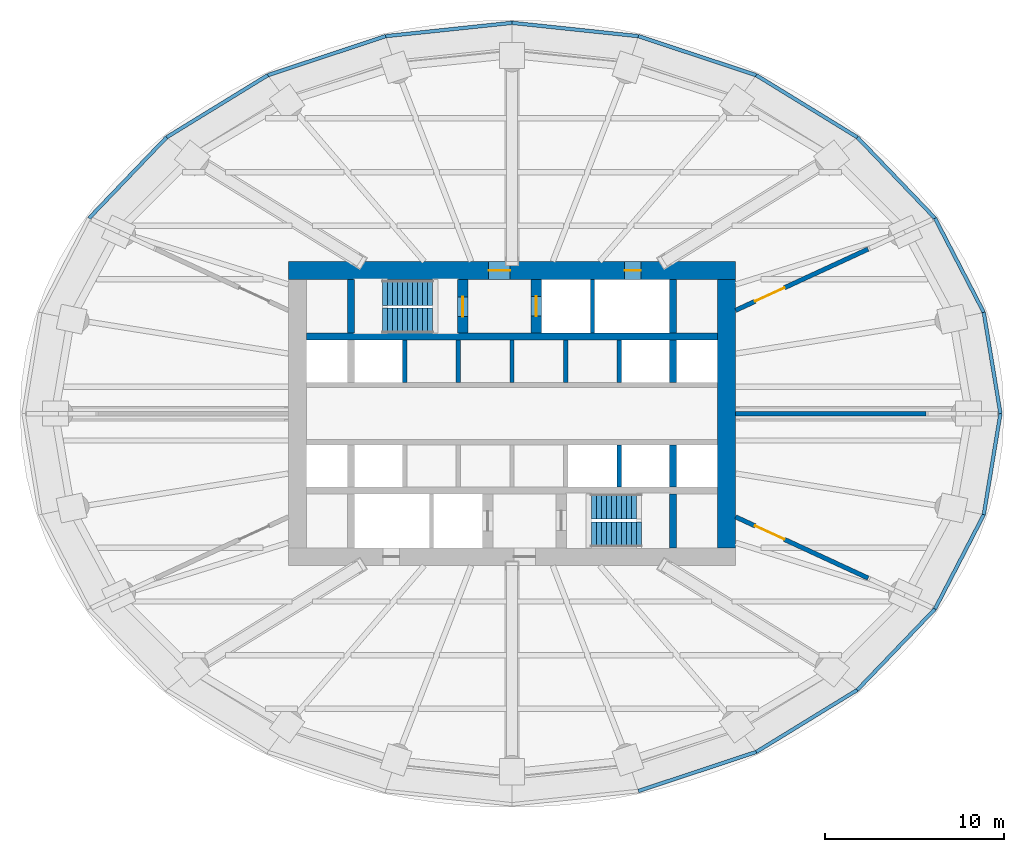
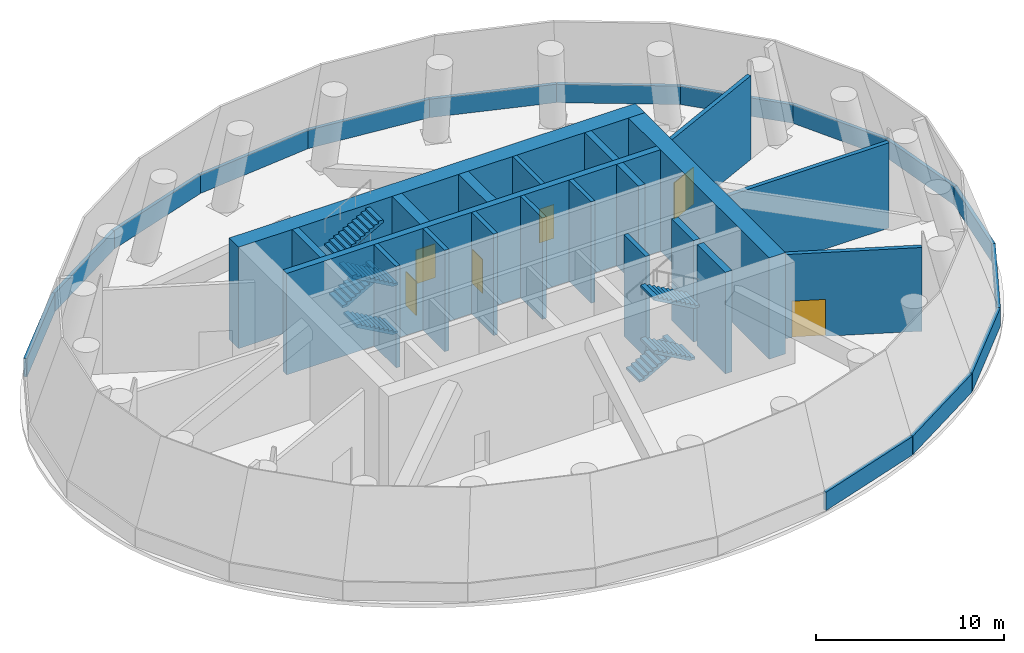
# One storey, part 5 of 7: 35 walls, 7 stair flights, 6 doors, 6 openings, 2 elements without a shape of their own.
"""IFC4 building model written with IfcOpenShell, lengths in metres."""

from ifc_helpers import new_model, si_unit, direction, frame, frame_2d, origin, place, context, subcontext, project, spatial, polyline, rectangle, outline, extrude, material, layer, layer_set, type_object, element, fill, aggregate, save


model = new_model("IFC4")

# Units and contexts
model_context = context("Model", 3, precision=1e-05, world=origin(), true_north=direction((0.0, 1.0)))
body_context = subcontext(model_context, "Body", "Model", "MODEL_VIEW")
ifc_project = project(units=[si_unit("LENGTHUNIT", "METRE"), si_unit("AREAUNIT", "SQUARE_METRE"), si_unit("VOLUMEUNIT", "CUBIC_METRE"), si_unit("PLANEANGLEUNIT", "RADIAN"), si_unit("MASSUNIT", "GRAM", prefix="KILO")], contexts=[model_context])

# Site, building, storey
site_placement = place(None, origin())
site = spatial("IfcSite", under=ifc_project, at=site_placement, CompositionType="ELEMENT")
building_placement = place(site_placement, origin())
building = spatial("IfcBuilding", under=site, at=building_placement, Name="Hankou Lantern Tower", CompositionType="ELEMENT")
storey_placement = place(building_placement, frame((0.0, 0.0, 93.60009765625)))
storey = spatial("IfcBuildingStorey", under=building, at=storey_placement, Name="L24", CompositionType="ELEMENT", Elevation=93.60009765625)

# Wall, openings, doors
ifc_material_1 = material(Name="Concrete C60", Category="concrete")
ifc_layer_1 = layer(ifc_material_1, 1.0)
ifc_layer_set_1 = layer_set([ifc_layer_1], Name="Concrete C60")
wall_type_1 = type_object("IfcWallType", Name="CW1 CORE WALL 1000", PredefinedType="SHEAR", material=ifc_layer_set_1)
wall_1_placement = place(storey_placement, frame((-12.5, 8.0, 0.0), z_axis=(0.0, 0.0, 1.0), x_axis=(1.0, 0.0, 0.0)))
wall_1 = element("IfcWall", 1, at=wall_1_placement, inside=storey, type_object=wall_type_1, Name="Core wall north L24", PredefinedType="SHEAR", context=body_context, shape_type="SweptSolid", body=[
    extrude(rectangle(XDim=25.0, YDim=1.0, at=frame_2d((12.5, 0.0))), origin(), (0.0, 0.0, 1.0), 6.599853515625),
])
opening_1_placement = place(wall_1_placement, frame((11.199951171875, 0.0, 0.0)))
opening_1 = element("IfcOpeningElement", 2, at=opening_1_placement, cuts=wall_1, Name="Opening D5", PredefinedType="OPENING", context=body_context, shape_type="SweptSolid", body=[
    extrude(rectangle(XDim=1.199951171875, YDim=2.199951171875, at=frame_2d((0.60009765625, 1.10009765625))), frame((0.0, 0.510009765625, 0.0), z_axis=(0.0, -1.0, 0.0), x_axis=(1.0, 0.0, 0.0)), (0.0, 0.0, 1.0), 1.02001953125),
])
opening_2_placement = place(wall_1_placement, frame((18.800048828125, 0.0, 0.0)))
opening_2 = element("IfcOpeningElement", 3, at=opening_2_placement, cuts=wall_1, Name="Opening D7", PredefinedType="OPENING", context=body_context, shape_type="SweptSolid", body=[
    extrude(rectangle(XDim=0.89990234375, YDim=2.199951171875, at=frame_2d((0.449951171875, 1.10009765625))), frame((0.0, 0.510009765625, 0.0), z_axis=(0.0, -1.0, 0.0), x_axis=(1.0, 0.0, 0.0)), (0.0, 0.0, 1.0), 1.02001953125),
])
ifc_material_2 = material(Name="Steel door leaf", Category="steel")
door_type_1 = type_object("IfcDoorType", Name="D5 STAIR LOBBY DOOR 1200X2200", OperationType="SINGLE_SWING_LEFT", PredefinedType="DOOR", material=ifc_material_2)
door_1_placement = place(opening_1_placement, origin())
door_1 = element("IfcDoor", 4, at=door_1_placement, inside=storey, type_object=door_type_1, Name="Stair A lobby door", OperationType="SINGLE_SWING_LEFT", OverallHeight=2.199951171875, OverallWidth=1.199951171875, PredefinedType="DOOR", context=body_context, shape_type="SweptSolid", body=[
    extrude(rectangle(XDim=1.199951171875, YDim=2.199951171875, at=frame_2d((0.60009765625, 1.10009765625))), frame((0.0, 0.02490234375, 0.0), z_axis=(0.0, -1.0, 0.0), x_axis=(1.0, 0.0, 0.0)), (0.0, 0.0, 1.0), 0.050048828125),
])
fill(opening_1, door_1)
ifc_material_3 = material(Name="Steel door leaf", Category="steel")
door_type_2 = type_object("IfcDoorType", Name="D7 RISER DOOR 900X2200", OperationType="SINGLE_SWING_LEFT", PredefinedType="DOOR", material=ifc_material_3)
door_2_placement = place(opening_2_placement, origin())
door_2 = element("IfcDoor", 5, at=door_2_placement, inside=storey, type_object=door_type_2, Name="Riser N1 door", OperationType="SINGLE_SWING_RIGHT", OverallHeight=2.199951171875, OverallWidth=0.89990234375, PredefinedType="DOOR", context=body_context, shape_type="SweptSolid", body=[
    extrude(rectangle(XDim=0.89990234375, YDim=2.199951171875, at=frame_2d((0.449951171875, 1.10009765625))), frame((0.0, 0.02490234375, 0.0), z_axis=(0.0, -1.0, 0.0), x_axis=(1.0, 0.0, 0.0)), (0.0, 0.0, 1.0), 0.050048828125),
])
fill(opening_2, door_2)

# Walls
wall_2_placement = place(storey_placement, frame((12.0, -7.5, 0.0), z_axis=(0.0, 0.0, 1.0), x_axis=(0.0, 1.0, 0.0)))
element("IfcWall", 6, at=wall_2_placement, inside=storey, type_object=wall_type_1, Name="Core wall east L24", PredefinedType="SHEAR", context=body_context, shape_type="SweptSolid", body=[
    extrude(rectangle(XDim=15.0, YDim=1.0, at=frame_2d((7.5, 0.0))), origin(), (0.0, 0.0, 1.0), 6.599853515625),
])
ifc_material_4 = material(Name="Concrete C60", Category="concrete")
ifc_layer_2 = layer(ifc_material_4, 0.39990234375)
ifc_layer_set_2 = layer_set([ifc_layer_2], Name="Concrete C60")
wall_type_2 = type_object("IfcWallType", Name="CW4 CORE CROSS WALL 400", PredefinedType="SHEAR", material=ifc_layer_set_2)
wall_3_placement = place(storey_placement, frame((-11.5, 4.300048828125, 0.0), z_axis=(0.0, 0.0, 1.0), x_axis=(1.0, 0.0, 0.0)))
element("IfcWall", 7, at=wall_3_placement, inside=storey, type_object=wall_type_2, Name="Core band wall north L24", PredefinedType="SHEAR", context=body_context, shape_type="SweptSolid", body=[
    extrude(rectangle(XDim=23.0, YDim=0.39990234375, at=frame_2d((11.5, 0.0))), origin(), (0.0, 0.0, 1.0), 6.599853515625),
])
for number, where, z_axis, x_axis, name in (
    (8, (-9.0, 4.5, 0.0), (0.0, 0.0, 1.0), (0.0, 1.0, 0.0), "Core strip wall L24"),
    (9, (9.0, 4.5, 0.0), (0.0, 0.0, 1.0), (0.0, 1.0, 0.0), "Core strip wall L24"),
):
    element("IfcWall", number, at=place(storey_placement, frame(where, z_axis=z_axis, x_axis=x_axis)), inside=storey, type_object=wall_type_2, Name=name, PredefinedType="SHEAR", context=body_context, shape_type="SweptSolid", body=[
        extrude(rectangle(XDim=3.0, YDim=0.39990234375, at=frame_2d((1.5, 0.0))), origin(), (0.0, 0.0, 1.0), 6.599853515625),
    ])
for number, where, z_axis, x_axis, name in (
    (10, (9.0, 1.75, 0.0), (0.0, 0.0, 1.0), (0.0, 1.0, 0.0), "Core strip wall L24"),
    (11, (9.0, -4.10009765625, 0.0), (0.0, 0.0, 1.0), (0.0, 1.0, 0.0), "Core strip wall L24"),
):
    element("IfcWall", number, at=place(storey_placement, frame(where, z_axis=z_axis, x_axis=x_axis)), inside=storey, type_object=wall_type_2, Name=name, PredefinedType="SHEAR", context=body_context, shape_type="SweptSolid", body=[
        extrude(rectangle(XDim=2.35009765625, YDim=0.39990234375, at=frame_2d((1.175048828125, 0.0))), origin(), (0.0, 0.0, 1.0), 6.599853515625),
    ])
wall_4_placement = place(storey_placement, frame((9.0, -7.5, 0.0), z_axis=(0.0, 0.0, 1.0), x_axis=(0.0, 1.0, 0.0)))
element("IfcWall", 12, at=wall_4_placement, inside=storey, type_object=wall_type_2, Name="Core strip wall L24", PredefinedType="SHEAR", context=body_context, shape_type="SweptSolid", body=[
    extrude(rectangle(XDim=3.0, YDim=0.39990234375, at=frame_2d((1.5, 0.0))), origin(), (0.0, 0.0, 1.0), 6.599853515625),
])

# Wall, opening, door
ifc_material_5 = material(Name="Concrete C60", Category="concrete")
ifc_layer_3 = layer(ifc_material_5, 0.60009765625)
ifc_layer_set_3 = layer_set([ifc_layer_3], Name="Concrete C60")
wall_type_3 = type_object("IfcWallType", Name="CW6 STAIR AND SHAFT WALL 600", PredefinedType="SHEAR", material=ifc_layer_set_3)
wall_5_placement = place(storey_placement, frame((-2.75, 4.5, 0.0), z_axis=(0.0, 0.0, 1.0), x_axis=(0.0, 1.0, 0.0)))
wall_5 = element("IfcWall", 13, at=wall_5_placement, inside=storey, type_object=wall_type_3, Name="Stair wall L24", PredefinedType="SHEAR", context=body_context, shape_type="SweptSolid", body=[
    extrude(rectangle(XDim=3.0, YDim=0.60009765625, at=frame_2d((1.5, 0.0))), origin(), (0.0, 0.0, 1.0), 6.599853515625),
])
opening_3_placement = place(wall_5_placement, frame((0.925048828125, 0.0, 0.0)))
opening_3 = element("IfcOpeningElement", 14, at=opening_3_placement, cuts=wall_5, Name="Opening D4", PredefinedType="OPENING", context=body_context, shape_type="SweptSolid", body=[
    extrude(rectangle(XDim=1.10009765625, YDim=2.199951171875, at=frame_2d((0.550048828125, 1.10009765625))), frame((0.0, 0.31005859375, 0.0), z_axis=(0.0, -1.0, 0.0), x_axis=(1.0, 0.0, 0.0)), (0.0, 0.0, 1.0), 0.6201171875),
])
ifc_material_6 = material(Name="Steel door leaf", Category="steel")
door_type_3 = type_object("IfcDoorType", Name="D4 STAIR DOOR 1100X2200", OperationType="SINGLE_SWING_LEFT", PredefinedType="DOOR", material=ifc_material_6)
door_3_placement = place(opening_3_placement, origin())
door_3 = element("IfcDoor", 15, at=door_3_placement, inside=storey, type_object=door_type_3, Name="Stair A door", OperationType="SINGLE_SWING_LEFT", OverallHeight=2.199951171875, OverallWidth=1.10009765625, PredefinedType="DOOR", context=body_context, shape_type="SweptSolid", body=[
    extrude(rectangle(XDim=1.10009765625, YDim=2.199951171875, at=frame_2d((0.550048828125, 1.10009765625))), frame((0.0, 0.02490234375, 0.0), z_axis=(0.0, -1.0, 0.0), x_axis=(1.0, 0.0, 0.0)), (0.0, 0.0, 1.0), 0.050048828125),
])
fill(opening_3, door_3)

wall_6_placement = place(storey_placement, frame((1.35009765625, 4.5, 0.0), z_axis=(0.0, 0.0, 1.0), x_axis=(0.0, 1.0, 0.0)))
wall_6 = element("IfcWall", 16, at=wall_6_placement, inside=storey, type_object=wall_type_3, Name="Firefighting lift shaft wall L24", PredefinedType="SHEAR", context=body_context, shape_type="SweptSolid", body=[
    extrude(rectangle(XDim=3.0, YDim=0.60009765625, at=frame_2d((1.5, 0.0))), origin(), (0.0, 0.0, 1.0), 6.599853515625),
])
opening_4_placement = place(wall_6_placement, frame((0.949951171875, 0.0, 0.0)))
opening_4 = element("IfcOpeningElement", 17, at=opening_4_placement, cuts=wall_6, Name="Opening LD2", PredefinedType="OPENING", context=body_context, shape_type="SweptSolid", body=[
    extrude(rectangle(XDim=1.10009765625, YDim=2.199951171875, at=frame_2d((0.550048828125, 1.10009765625))), frame((0.0, 0.31005859375, 0.0), z_axis=(0.0, -1.0, 0.0), x_axis=(1.0, 0.0, 0.0)), (0.0, 0.0, 1.0), 0.6201171875),
])
ifc_material_7 = material(Name="Steel door leaf", Category="steel")
door_type_4 = type_object("IfcDoorType", Name="LD2 FIREFIGHTING LIFT LANDING DOOR 1100X2200", OperationType="DOUBLE_DOOR_SLIDING", PredefinedType="DOOR", material=ifc_material_7)
door_4_placement = place(opening_4_placement, origin())
door_4 = element("IfcDoor", 18, at=door_4_placement, inside=storey, type_object=door_type_4, Name="Firefighting lift FL1 landing door", OperationType="DOUBLE_DOOR_SLIDING", OverallHeight=2.199951171875, OverallWidth=1.10009765625, PredefinedType="DOOR", context=body_context, shape_type="SweptSolid", body=[
    extrude(rectangle(XDim=1.10009765625, YDim=2.199951171875, at=frame_2d((0.550048828125, 1.10009765625))), frame((0.0, 0.02490234375, 0.0), z_axis=(0.0, -1.0, 0.0), x_axis=(1.0, 0.0, 0.0)), (0.0, 0.0, 1.0), 0.050048828125),
])
fill(opening_4, door_4)

# Walls
ifc_material_8 = material(Name="Precast concrete C40 spandrel", Category="concrete")
ifc_layer_4 = layer(ifc_material_8, 0.199951171875)
ifc_layer_set_4 = layer_set([ifc_layer_4], Name="Precast concrete C40 spandrel")
wall_type_4 = type_object("IfcWallType", Name="EW3 SPANDREL WALL 200", PredefinedType="PARAPET", material=ifc_layer_set_4)
wall_7_placement = place(storey_placement, frame((27.300048828125, 0.0, 0.0), z_axis=(0.0, 0.0, 1.0), x_axis=(-0.162373720697, 0.9867293321, 0.0)))
element("IfcWall", 19, at=wall_7_placement, inside=storey, type_object=wall_type_4, Name="Spandrel wall R01 L24", PredefinedType="PARAPET", context=body_context, shape_type="SweptSolid", body=[
    extrude(rectangle(XDim=5.728515625, YDim=0.199951171875, at=frame_2d((2.8642578125, 0.0))), origin(), (0.0, 0.0, 1.0), 1.199951171875),
])
wall_8_placement = place(storey_placement, frame((26.369873046875, 5.652587890625, 0.0), z_axis=(0.0, 0.0, 1.0), x_axis=(-0.459796869206, 0.88802412077, 0.0)))
element("IfcWall", 20, at=wall_8_placement, inside=storey, type_object=wall_type_4, Name="Spandrel wall R02 L24", PredefinedType="PARAPET", context=body_context, shape_type="SweptSolid", body=[
    extrude(rectangle(XDim=5.931640625, YDim=0.199951171875, at=frame_2d((2.9658203125, 0.0))), origin(), (0.0, 0.0, 1.0), 1.199951171875),
])
wall_9_placement = place(storey_placement, frame((23.642578125, 10.919921875, 0.0), z_axis=(0.0, 0.0, 1.0), x_axis=(-0.692229324032, 0.721677603193, 0.0)))
element("IfcWall", 21, at=wall_9_placement, inside=storey, type_object=wall_type_4, Name="Spandrel wall R03 L24", PredefinedType="PARAPET", context=body_context, shape_type="SweptSolid", body=[
    extrude(rectangle(XDim=6.267578125, YDim=0.199951171875, at=frame_2d((3.1337890625, 0.0))), origin(), (0.0, 0.0, 1.0), 1.199951171875),
])
wall_10_placement = place(storey_placement, frame((19.303955078125, 15.443115234375, 0.0), z_axis=(0.0, 0.0, 1.0), x_axis=(-0.852227644775, 0.523171139763, 0.0)))
element("IfcWall", 22, at=wall_10_placement, inside=storey, type_object=wall_type_4, Name="Spandrel wall R04 L24", PredefinedType="PARAPET", context=body_context, shape_type="SweptSolid", body=[
    extrude(rectangle(XDim=6.634521484375, YDim=0.199951171875, at=frame_2d((3.3173828125, 0.0))), origin(), (0.0, 0.0, 1.0), 1.199951171875),
])
wall_11_placement = place(storey_placement, frame((13.64990234375, 18.9140625, 0.0), z_axis=(0.0, 0.0, 1.0), x_axis=(-0.94924845877, 0.314527206332, 0.0)))
element("IfcWall", 23, at=wall_11_placement, inside=storey, type_object=wall_type_4, Name="Spandrel wall R05 L24", PredefinedType="PARAPET", context=body_context, shape_type="SweptSolid", body=[
    extrude(rectangle(XDim=6.936279296875, YDim=0.199951171875, at=frame_2d((3.46826171875, 0.0))), origin(), (0.0, 0.0, 1.0), 1.199951171875),
])
for number, where, z_axis, x_axis, name in (
    (24, (7.065673828125, 21.095703125, 0.0), (0.0, 0.0, 1.0), (-0.99449622286, 0.104772433002, 0.0), "Spandrel wall R06 L24"),
    (25, (0.0, 21.840087890625, 0.0), (0.0, 0.0, 1.0), (-0.99449622286, -0.104772433002, 0.0), "Spandrel wall R07 L24"),
):
    element("IfcWall", number, at=place(storey_placement, frame(where, z_axis=z_axis, x_axis=x_axis)), inside=storey, type_object=wall_type_4, Name=name, PredefinedType="PARAPET", context=body_context, shape_type="SweptSolid", body=[
        extrude(rectangle(XDim=7.104736328125, YDim=0.199951171875, at=frame_2d((3.55224609375, 0.0))), origin(), (0.0, 0.0, 1.0), 1.199951171875),
    ])
wall_12_placement = place(storey_placement, frame((-7.065673828125, 21.095703125, 0.0), z_axis=(0.0, 0.0, 1.0), x_axis=(-0.94924845877, -0.314527206332, 0.0)))
element("IfcWall", 26, at=wall_12_placement, inside=storey, type_object=wall_type_4, Name="Spandrel wall R08 L24", PredefinedType="PARAPET", context=body_context, shape_type="SweptSolid", body=[
    extrude(rectangle(XDim=6.936279296875, YDim=0.199951171875, at=frame_2d((3.46826171875, 0.0))), origin(), (0.0, 0.0, 1.0), 1.199951171875),
])
wall_13_placement = place(storey_placement, frame((-13.64990234375, 18.9140625, 0.0), z_axis=(0.0, 0.0, 1.0), x_axis=(-0.852227644775, -0.523171139763, 0.0)))
element("IfcWall", 27, at=wall_13_placement, inside=storey, type_object=wall_type_4, Name="Spandrel wall R09 L24", PredefinedType="PARAPET", context=body_context, shape_type="SweptSolid", body=[
    extrude(rectangle(XDim=6.634521484375, YDim=0.199951171875, at=frame_2d((3.3173828125, 0.0))), origin(), (0.0, 0.0, 1.0), 1.199951171875),
])
wall_14_placement = place(storey_placement, frame((-19.303955078125, 15.443115234375, 0.0), z_axis=(0.0, 0.0, 1.0), x_axis=(-0.692229324032, -0.721677603193, 0.0)))
element("IfcWall", 28, at=wall_14_placement, inside=storey, type_object=wall_type_4, Name="Spandrel wall R10 L24", PredefinedType="PARAPET", context=body_context, shape_type="SweptSolid", body=[
    extrude(rectangle(XDim=6.267578125, YDim=0.199951171875, at=frame_2d((3.1337890625, 0.0))), origin(), (0.0, 0.0, 1.0), 1.199951171875),
])
wall_15_placement = place(storey_placement, frame((7.065673828125, -21.095703125, 0.0), z_axis=(0.0, 0.0, 1.0), x_axis=(0.94924845877, 0.314527206332, 0.0)))
element("IfcWall", 29, at=wall_15_placement, inside=storey, type_object=wall_type_4, Name="Spandrel wall R20 L24", PredefinedType="PARAPET", context=body_context, shape_type="SweptSolid", body=[
    extrude(rectangle(XDim=6.936279296875, YDim=0.199951171875, at=frame_2d((3.46826171875, 0.0))), origin(), (0.0, 0.0, 1.0), 1.199951171875),
])
wall_16_placement = place(storey_placement, frame((13.64990234375, -18.9140625, 0.0), z_axis=(0.0, 0.0, 1.0), x_axis=(0.852227644775, 0.523171139763, 0.0)))
element("IfcWall", 30, at=wall_16_placement, inside=storey, type_object=wall_type_4, Name="Spandrel wall R21 L24", PredefinedType="PARAPET", context=body_context, shape_type="SweptSolid", body=[
    extrude(rectangle(XDim=6.634521484375, YDim=0.199951171875, at=frame_2d((3.3173828125, 0.0))), origin(), (0.0, 0.0, 1.0), 1.199951171875),
])
wall_17_placement = place(storey_placement, frame((19.303955078125, -15.443115234375, 0.0), z_axis=(0.0, 0.0, 1.0), x_axis=(0.692229324032, 0.721677603193, 0.0)))
element("IfcWall", 31, at=wall_17_placement, inside=storey, type_object=wall_type_4, Name="Spandrel wall R22 L24", PredefinedType="PARAPET", context=body_context, shape_type="SweptSolid", body=[
    extrude(rectangle(XDim=6.267578125, YDim=0.199951171875, at=frame_2d((3.1337890625, 0.0))), origin(), (0.0, 0.0, 1.0), 1.199951171875),
])
wall_18_placement = place(storey_placement, frame((23.642578125, -10.919921875, 0.0), z_axis=(0.0, 0.0, 1.0), x_axis=(0.459796869206, 0.88802412077, 0.0)))
element("IfcWall", 32, at=wall_18_placement, inside=storey, type_object=wall_type_4, Name="Spandrel wall R23 L24", PredefinedType="PARAPET", context=body_context, shape_type="SweptSolid", body=[
    extrude(rectangle(XDim=5.931640625, YDim=0.199951171875, at=frame_2d((2.9658203125, 0.0))), origin(), (0.0, 0.0, 1.0), 1.199951171875),
])
wall_19_placement = place(storey_placement, frame((26.369873046875, -5.652587890625, 0.0), z_axis=(0.0, 0.0, 1.0), x_axis=(0.162373720697, 0.9867293321, 0.0)))
element("IfcWall", 33, at=wall_19_placement, inside=storey, type_object=wall_type_4, Name="Spandrel wall R24 L24", PredefinedType="PARAPET", context=body_context, shape_type="SweptSolid", body=[
    extrude(rectangle(XDim=5.728515625, YDim=0.199951171875, at=frame_2d((2.8642578125, 0.0))), origin(), (0.0, 0.0, 1.0), 1.199951171875),
])

# Wall, opening, door
ifc_material_9 = material(Name="Masonry dense concrete block", Category="masonry")
ifc_layer_5 = layer(ifc_material_9, 0.25)
ifc_layer_set_5 = layer_set([ifc_layer_5], Name="Masonry dense concrete block")
wall_type_5 = type_object("IfcWallType", Name="IW5 PLANT ROOM FIRE WALL 250", PredefinedType="PARTITIONING", material=ifc_layer_set_5)
wall_20_placement = place(storey_placement, frame((12.5, 5.7734375, 0.0), z_axis=(0.0, 0.0, 1.0), x_axis=(0.907832327602, 0.419333357796, 0.0)))
wall_20 = element("IfcWall", 34, at=wall_20_placement, inside=storey, type_object=wall_type_5, Name="Plant room fire wall R03", PredefinedType="PARTITIONING", context=body_context, shape_type="SweptSolid", body=[
    extrude(rectangle(XDim=8.157470703125, YDim=0.25, at=frame_2d((4.07861328125, 0.0))), origin(), (0.0, 0.0, 1.0), 5.449951171875),
])
opening_5_placement = place(wall_20_placement, frame((1.199951171875, 0.0, 0.0)))
opening_5 = element("IfcOpeningElement", 35, at=opening_5_placement, cuts=wall_20, Name="Opening D9", PredefinedType="OPENING", context=body_context, shape_type="SweptSolid", body=[
    extrude(rectangle(XDim=1.800048828125, YDim=2.39990234375, at=frame_2d((0.89990234375, 1.199951171875))), frame((0.0, 0.135009765625, 0.0), z_axis=(0.0, -1.0, 0.0), x_axis=(1.0, 0.0, 0.0)), (0.0, 0.0, 1.0), 0.27001953125),
])
ifc_material_10 = material(Name="Steel door leaf", Category="steel")
door_type_5 = type_object("IfcDoorType", Name="D9 PLANT ROOM DOOR 1800X2400", OperationType="DOUBLE_DOOR_DOUBLE_SWING", PredefinedType="DOOR", material=ifc_material_10)
door_5_placement = place(opening_5_placement, origin())
door_5 = element("IfcDoor", 36, at=door_5_placement, inside=storey, type_object=door_type_5, Name="Plant room door R03", OperationType="DOUBLE_DOOR_DOUBLE_SWING", OverallHeight=2.39990234375, OverallWidth=1.800048828125, PredefinedType="DOOR", context=body_context, shape_type="SweptSolid", body=[
    extrude(rectangle(XDim=1.800048828125, YDim=2.39990234375, at=frame_2d((0.89990234375, 1.199951171875))), frame((0.0, 0.02490234375, 0.0), z_axis=(0.0, -1.0, 0.0), x_axis=(1.0, 0.0, 0.0)), (0.0, 0.0, 1.0), 0.050048828125),
])
fill(opening_5, door_5)

wall_21_placement = place(storey_placement, frame((12.5, -5.7734375, 0.0), z_axis=(0.0, 0.0, 1.0), x_axis=(0.907832327602, -0.419333357796, 0.0)))
wall_21 = element("IfcWall", 37, at=wall_21_placement, inside=storey, type_object=wall_type_5, Name="Plant room fire wall R23", PredefinedType="PARTITIONING", context=body_context, shape_type="SweptSolid", body=[
    extrude(rectangle(XDim=8.157470703125, YDim=0.25, at=frame_2d((4.07861328125, 0.0))), origin(), (0.0, 0.0, 1.0), 5.449951171875),
])
opening_6_placement = place(wall_21_placement, frame((1.199951171875, 0.0, 0.0)))
opening_6 = element("IfcOpeningElement", 38, at=opening_6_placement, cuts=wall_21, Name="Opening D9", PredefinedType="OPENING", context=body_context, shape_type="SweptSolid", body=[
    extrude(rectangle(XDim=1.800048828125, YDim=2.39990234375, at=frame_2d((0.89990234375, 1.199951171875))), frame((0.0, 0.135009765625, 0.0), z_axis=(0.0, -1.0, 0.0), x_axis=(1.0, 0.0, 0.0)), (0.0, 0.0, 1.0), 0.27001953125),
])
door_6_placement = place(opening_6_placement, origin())
door_6 = element("IfcDoor", 39, at=door_6_placement, inside=storey, type_object=door_type_5, Name="Plant room door R23", OperationType="DOUBLE_DOOR_DOUBLE_SWING", OverallHeight=2.39990234375, OverallWidth=1.800048828125, PredefinedType="DOOR", context=body_context, shape_type="SweptSolid", body=[
    extrude(rectangle(XDim=1.800048828125, YDim=2.39990234375, at=frame_2d((0.89990234375, 1.199951171875))), frame((0.0, 0.02490234375, 0.0), z_axis=(0.0, -1.0, 0.0), x_axis=(1.0, 0.0, 0.0)), (0.0, 0.0, 1.0), 0.050048828125),
])
fill(opening_6, door_6)

# Walls
wall_22_placement = place(storey_placement, frame((12.5, 0.0, 0.0), z_axis=(0.0, 0.0, 1.0), x_axis=(1.0, 0.0, 0.0)))
element("IfcWall", 40, at=wall_22_placement, inside=storey, type_object=wall_type_5, Name="Plant room partition R01", PredefinedType="PARTITIONING", context=body_context, shape_type="SweptSolid", body=[
    extrude(rectangle(XDim=10.640869140625, YDim=0.25, at=frame_2d((5.3203125, 0.0))), origin(), (0.0, 0.0, 1.0), 5.5498046875),
])
ifc_material_11 = material(Name="Masonry autoclaved aerated concrete block", Category="masonry")
ifc_layer_6 = layer(ifc_material_11, 0.25)
ifc_layer_set_6 = layer_set([ifc_layer_6], Name="Masonry autoclaved aerated concrete block")
wall_type_6 = type_object("IfcWallType", Name="SW1 SHAFT BLOCK WALL 250", PredefinedType="PARTITIONING", material=ifc_layer_set_6)
wall_23_placement = place(storey_placement, frame((4.5, 4.5, 0.0), z_axis=(0.0, 0.0, 1.0), x_axis=(0.0, 1.0, 0.0)))
element("IfcWall", 41, at=wall_23_placement, inside=storey, type_object=wall_type_6, Name="Riser wall L24", PredefinedType="PARTITIONING", context=body_context, shape_type="SweptSolid", body=[
    extrude(rectangle(XDim=3.0, YDim=0.25, at=frame_2d((1.5, 0.0))), origin(), (0.0, 0.0, 1.0), 6.599853515625),
])
for number, where, z_axis, x_axis, name in (
    (42, (-6.0, 1.75, 0.0), (0.0, 0.0, 1.0), (0.0, 1.0, 0.0), "Lift shaft wall L24"),
    (43, (-3.0, 1.75, 0.0), (0.0, 0.0, 1.0), (0.0, 1.0, 0.0), "Lift shaft wall L24"),
    (44, (0.0, 1.75, 0.0), (0.0, 0.0, 1.0), (0.0, 1.0, 0.0), "Lift shaft wall L24"),
    (45, (3.0, 1.75, 0.0), (0.0, 0.0, 1.0), (0.0, 1.0, 0.0), "Lift shaft wall L24"),
    (46, (6.0, 1.75, 0.0), (0.0, 0.0, 1.0), (0.0, 1.0, 0.0), "Lift shaft wall L24"),
    (47, (6.0, -4.10009765625, 0.0), (0.0, 0.0, 1.0), (0.0, 1.0, 0.0), "Lift shaft wall L24"),
):
    element("IfcWall", number, at=place(storey_placement, frame(where, z_axis=z_axis, x_axis=x_axis)), inside=storey, type_object=wall_type_6, Name=name, PredefinedType="PARTITIONING", context=body_context, shape_type="SweptSolid", body=[
        extrude(rectangle(XDim=2.35009765625, YDim=0.25, at=frame_2d((1.175048828125, 0.0))), origin(), (0.0, 0.0, 1.0), 6.599853515625),
    ])

# Stair, stair flights
ifc_material_12 = material(Name="Concrete C40", Category="concrete")
stair_type = type_object("IfcStairType", Name="ST66 CORE STAIR 6600 RISE", PredefinedType="HALF_TURN_STAIR", material=ifc_material_12)
stair_1_placement = place(storey_placement, origin())
stair_1 = element("IfcStair", 48, at=stair_1_placement, inside=storey, type_object=stair_type, Name="Stair STA L24", PredefinedType="HALF_TURN_STAIR")
ifc_material_13 = material(Name="Concrete C40", Category="concrete")
stair_flight_type_1 = type_object("IfcStairFlightType", Name="CF10 CORE STAIR FLIGHT 1400 X 10 RISERS", PredefinedType="STRAIGHT", material=ifc_material_13)
stair_flight_1_placement = place(storey_placement, frame((-4.429931640625, 5.199951171875, 0.0), z_axis=(0.0, 0.0, 1.0), x_axis=(-1.0, 0.0, 0.0)))
stair_flight_1 = element("IfcStairFlight", 49, at=stair_flight_1_placement, type_object=stair_flight_type_1, Name="STA flight 1", NumberOfRisers=10, NumberOfTreads=9, PredefinedType="STRAIGHT", RiserHeight=0.157142857, TreadLength=0.28, context=body_context, shape_type="SweptSolid", body=[
    extrude(outline(polyline([(0.0, 0.0), (0.0, 0.1572265625), (0.280029296875, 0.1572265625), (0.280029296875, 0.314208984375), (0.56005859375, 0.314208984375), (0.56005859375, 0.471435546875), (0.840087890625, 0.471435546875), (0.840087890625, 0.628662109375), (1.1201171875, 0.628662109375), (1.1201171875, 0.78564453125), (1.39990234375, 0.78564453125), (1.39990234375, 0.94287109375), (1.679931640625, 0.94287109375), (1.679931640625, 1.10009765625), (1.9599609375, 1.10009765625), (1.9599609375, 1.257080078125), (2.239990234375, 1.257080078125), (2.239990234375, 1.414306640625), (2.52001953125, 1.414306640625), (2.52001953125, 1.571533203125), (2.52001953125, 1.242431640625), (0.306396484375, 0.0), (0.0, 0.0)])), frame((0.0, 0.699951171875, 0.0), z_axis=(0.0, -1.0, 0.0), x_axis=(1.0, 0.0, 0.0)), (0.0, 0.0, 1.0), 1.39990234375),
])
stair_flight_2_placement = place(storey_placement, frame((-6.949951171875, 6.75, 1.5712890625), z_axis=(0.0, 0.0, 1.0), x_axis=(1.0, 0.0, 0.0)))
stair_flight_2 = element("IfcStairFlight", 50, at=stair_flight_2_placement, type_object=stair_flight_type_1, Name="STA flight 2", NumberOfRisers=10, NumberOfTreads=9, PredefinedType="STRAIGHT", RiserHeight=0.157142857, TreadLength=0.28, context=body_context, shape_type="SweptSolid", body=[
    extrude(outline(polyline([(0.0, 0.0), (0.0, 0.1572265625), (0.280029296875, 0.1572265625), (0.280029296875, 0.314208984375), (0.56005859375, 0.314208984375), (0.56005859375, 0.471435546875), (0.840087890625, 0.471435546875), (0.840087890625, 0.628662109375), (1.1201171875, 0.628662109375), (1.1201171875, 0.78564453125), (1.39990234375, 0.78564453125), (1.39990234375, 0.94287109375), (1.679931640625, 0.94287109375), (1.679931640625, 1.10009765625), (1.9599609375, 1.10009765625), (1.9599609375, 1.257080078125), (2.239990234375, 1.257080078125), (2.239990234375, 1.414306640625), (2.52001953125, 1.414306640625), (2.52001953125, 1.571533203125), (2.52001953125, 1.242431640625), (0.306396484375, 0.0), (0.0, 0.0)])), frame((0.0, 0.699951171875, 0.0), z_axis=(0.0, -1.0, 0.0), x_axis=(1.0, 0.0, 0.0)), (0.0, 0.0, 1.0), 1.39990234375),
])

stair_2_placement = place(storey_placement, origin())
stair_2 = element("IfcStair", 51, at=stair_2_placement, inside=storey, type_object=stair_type, Name="Stair STB L24", PredefinedType="HALF_TURN_STAIR")
stair_flight_3_placement = place(storey_placement, frame((4.429931640625, -5.199951171875, 0.0), z_axis=(0.0, 0.0, 1.0), x_axis=(1.0, 0.0, 0.0)))
stair_flight_3 = element("IfcStairFlight", 52, at=stair_flight_3_placement, type_object=stair_flight_type_1, Name="STB flight 1", NumberOfRisers=10, NumberOfTreads=9, PredefinedType="STRAIGHT", RiserHeight=0.157142857, TreadLength=0.28, context=body_context, shape_type="SweptSolid", body=[
    extrude(outline(polyline([(0.0, 0.0), (0.0, 0.1572265625), (0.280029296875, 0.1572265625), (0.280029296875, 0.314208984375), (0.56005859375, 0.314208984375), (0.56005859375, 0.471435546875), (0.840087890625, 0.471435546875), (0.840087890625, 0.628662109375), (1.1201171875, 0.628662109375), (1.1201171875, 0.78564453125), (1.39990234375, 0.78564453125), (1.39990234375, 0.94287109375), (1.679931640625, 0.94287109375), (1.679931640625, 1.10009765625), (1.9599609375, 1.10009765625), (1.9599609375, 1.257080078125), (2.239990234375, 1.257080078125), (2.239990234375, 1.414306640625), (2.52001953125, 1.414306640625), (2.52001953125, 1.571533203125), (2.52001953125, 1.242431640625), (0.306396484375, 0.0), (0.0, 0.0)])), frame((0.0, 0.699951171875, 0.0), z_axis=(0.0, -1.0, 0.0), x_axis=(1.0, 0.0, 0.0)), (0.0, 0.0, 1.0), 1.39990234375),
])
stair_flight_4_placement = place(storey_placement, frame((6.949951171875, -6.75, 1.5712890625), z_axis=(0.0, 0.0, 1.0), x_axis=(-1.0, 0.0, 0.0)))
stair_flight_4 = element("IfcStairFlight", 53, at=stair_flight_4_placement, type_object=stair_flight_type_1, Name="STB flight 2", NumberOfRisers=10, NumberOfTreads=9, PredefinedType="STRAIGHT", RiserHeight=0.157142857, TreadLength=0.28, context=body_context, shape_type="SweptSolid", body=[
    extrude(outline(polyline([(0.0, 0.0), (0.0, 0.1572265625), (0.280029296875, 0.1572265625), (0.280029296875, 0.314208984375), (0.56005859375, 0.314208984375), (0.56005859375, 0.471435546875), (0.840087890625, 0.471435546875), (0.840087890625, 0.628662109375), (1.1201171875, 0.628662109375), (1.1201171875, 0.78564453125), (1.39990234375, 0.78564453125), (1.39990234375, 0.94287109375), (1.679931640625, 0.94287109375), (1.679931640625, 1.10009765625), (1.9599609375, 1.10009765625), (1.9599609375, 1.257080078125), (2.239990234375, 1.257080078125), (2.239990234375, 1.414306640625), (2.52001953125, 1.414306640625), (2.52001953125, 1.571533203125), (2.52001953125, 1.242431640625), (0.306396484375, 0.0), (0.0, 0.0)])), frame((0.0, 0.699951171875, 0.0), z_axis=(0.0, -1.0, 0.0), x_axis=(1.0, 0.0, 0.0)), (0.0, 0.0, 1.0), 1.39990234375),
])

# Stair flight
ifc_material_14 = material(Name="Concrete C40", Category="concrete")
stair_flight_type_2 = type_object("IfcStairFlightType", Name="CF11 CORE STAIR FLIGHT 1400 X 11 RISERS", PredefinedType="STRAIGHT", material=ifc_material_14)
stair_flight_5_placement = place(storey_placement, frame((-4.429931640625, 5.199951171875, 3.142822265625), z_axis=(0.0, 0.0, 1.0), x_axis=(-1.0, 0.0, 0.0)))
stair_flight_5 = element("IfcStairFlight", 54, at=stair_flight_5_placement, type_object=stair_flight_type_2, Name="STA flight 3", NumberOfRisers=11, NumberOfTreads=10, PredefinedType="STRAIGHT", RiserHeight=0.157142857, TreadLength=0.28, context=body_context, shape_type="SweptSolid", body=[
    extrude(outline(polyline([(0.0, 0.0), (0.0, 0.1572265625), (0.280029296875, 0.1572265625), (0.280029296875, 0.314208984375), (0.56005859375, 0.314208984375), (0.56005859375, 0.471435546875), (0.840087890625, 0.471435546875), (0.840087890625, 0.628662109375), (1.1201171875, 0.628662109375), (1.1201171875, 0.78564453125), (1.39990234375, 0.78564453125), (1.39990234375, 0.94287109375), (1.679931640625, 0.94287109375), (1.679931640625, 1.10009765625), (1.9599609375, 1.10009765625), (1.9599609375, 1.257080078125), (2.239990234375, 1.257080078125), (2.239990234375, 1.414306640625), (2.52001953125, 1.414306640625), (2.52001953125, 1.571533203125), (2.800048828125, 1.571533203125), (2.800048828125, 1.728515625), (2.800048828125, 1.3994140625), (0.306396484375, 0.0), (0.0, 0.0)])), frame((0.0, 0.699951171875, 0.0), z_axis=(0.0, -1.0, 0.0), x_axis=(1.0, 0.0, 0.0)), (0.0, 0.0, 1.0), 1.39990234375),
])

stair_flight_6_placement = place(storey_placement, frame((-7.22998046875, 6.75, 4.871337890625), z_axis=(0.0, 0.0, 1.0), x_axis=(1.0, 0.0, 0.0)))
stair_flight_6 = element("IfcStairFlight", 55, at=stair_flight_6_placement, type_object=stair_flight_type_2, Name="STA flight 4", NumberOfRisers=11, NumberOfTreads=10, PredefinedType="STRAIGHT", RiserHeight=0.157142857, TreadLength=0.28, context=body_context, shape_type="SweptSolid", body=[
    extrude(outline(polyline([(0.0, 0.0), (0.0, 0.1572265625), (0.280029296875, 0.1572265625), (0.280029296875, 0.314208984375), (0.56005859375, 0.314208984375), (0.56005859375, 0.471435546875), (0.840087890625, 0.471435546875), (0.840087890625, 0.628662109375), (1.1201171875, 0.628662109375), (1.1201171875, 0.78564453125), (1.39990234375, 0.78564453125), (1.39990234375, 0.94287109375), (1.679931640625, 0.94287109375), (1.679931640625, 1.10009765625), (1.9599609375, 1.10009765625), (1.9599609375, 1.257080078125), (2.239990234375, 1.257080078125), (2.239990234375, 1.414306640625), (2.52001953125, 1.414306640625), (2.52001953125, 1.571533203125), (2.800048828125, 1.571533203125), (2.800048828125, 1.728515625), (2.800048828125, 1.3994140625), (0.306396484375, 0.0), (0.0, 0.0)])), frame((0.0, 0.699951171875, 0.0), z_axis=(0.0, -1.0, 0.0), x_axis=(1.0, 0.0, 0.0)), (0.0, 0.0, 1.0), 1.39990234375),
])

aggregate(stair_1, [stair_flight_1, stair_flight_2, stair_flight_5, stair_flight_6])

stair_flight_7_placement = place(storey_placement, frame((7.22998046875, -6.75, 4.871337890625), z_axis=(0.0, 0.0, 1.0), x_axis=(-1.0, 0.0, 0.0)))
stair_flight_7 = element("IfcStairFlight", 56, at=stair_flight_7_placement, type_object=stair_flight_type_2, Name="STB flight 4", NumberOfRisers=11, NumberOfTreads=10, PredefinedType="STRAIGHT", RiserHeight=0.157142857, TreadLength=0.28, context=body_context, shape_type="SweptSolid", body=[
    extrude(outline(polyline([(0.0, 0.0), (0.0, 0.1572265625), (0.280029296875, 0.1572265625), (0.280029296875, 0.314208984375), (0.56005859375, 0.314208984375), (0.56005859375, 0.471435546875), (0.840087890625, 0.471435546875), (0.840087890625, 0.628662109375), (1.1201171875, 0.628662109375), (1.1201171875, 0.78564453125), (1.39990234375, 0.78564453125), (1.39990234375, 0.94287109375), (1.679931640625, 0.94287109375), (1.679931640625, 1.10009765625), (1.9599609375, 1.10009765625), (1.9599609375, 1.257080078125), (2.239990234375, 1.257080078125), (2.239990234375, 1.414306640625), (2.52001953125, 1.414306640625), (2.52001953125, 1.571533203125), (2.800048828125, 1.571533203125), (2.800048828125, 1.728515625), (2.800048828125, 1.3994140625), (0.306396484375, 0.0), (0.0, 0.0)])), frame((0.0, 0.699951171875, 0.0), z_axis=(0.0, -1.0, 0.0), x_axis=(1.0, 0.0, 0.0)), (0.0, 0.0, 1.0), 1.39990234375),
])

aggregate(stair_2, [stair_flight_3, stair_flight_4, stair_flight_7])

save(model, "model.ifc")
